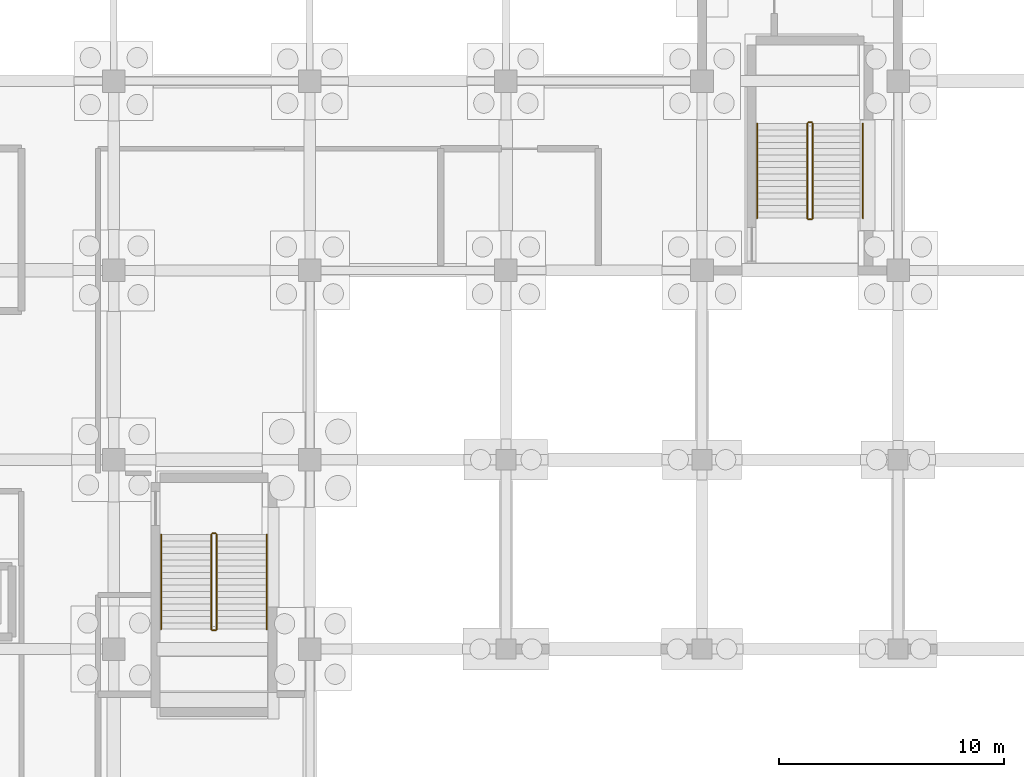
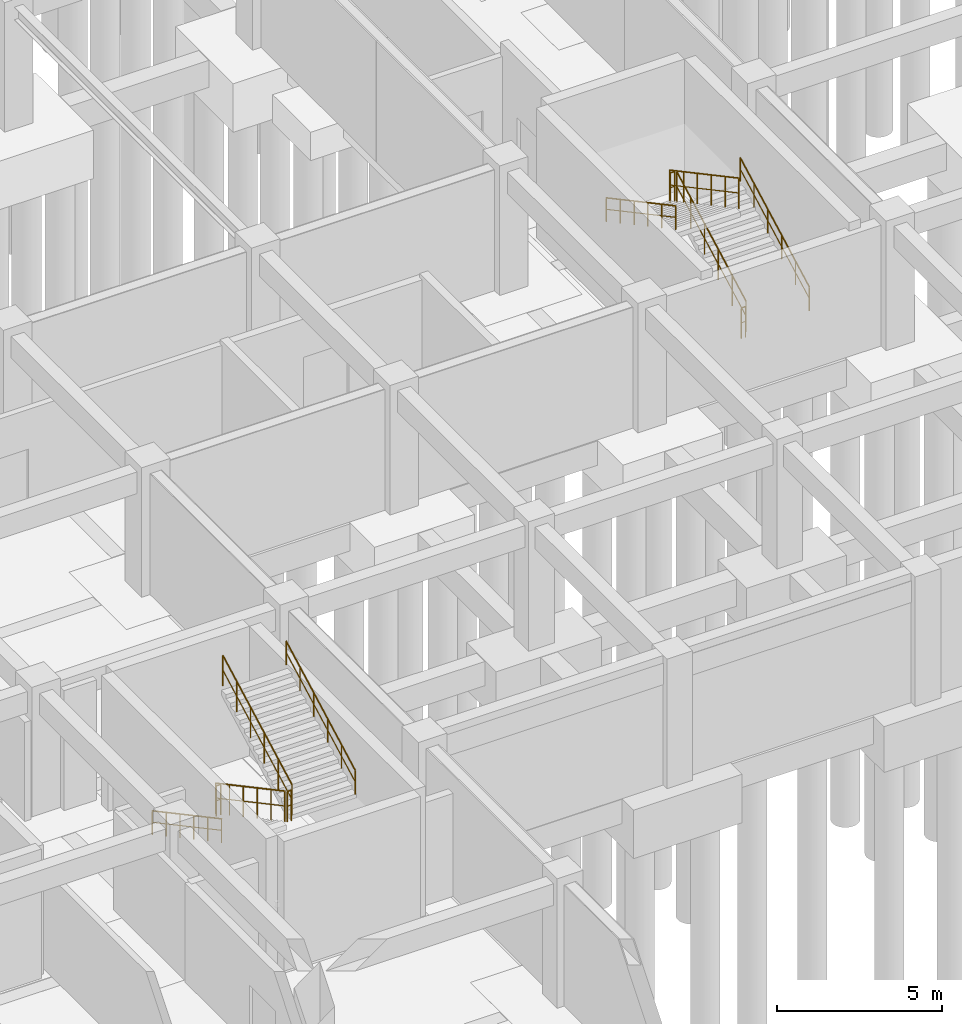
# One storey, part 31 of 33: 12 railings.
"""IFC4 building model written with IfcOpenShell, lengths in metres."""

from ifc_helpers import new_model, si_unit, derived_unit, direction, frame, origin, origin_2d, place, context, subcontext, project, spatial, circle, extrude, material, type_object, element, save


model = new_model("IFC4")

# Units and contexts
model_context = context("Model", 3, precision=1e-05, world=origin(), true_north=direction((0.0, 1.0)))
body_context = subcontext(model_context, "Body", "Model", "MODEL_VIEW")
ifc_project = project(units=[si_unit("LENGTHUNIT", "METRE"), si_unit("AREAUNIT", "SQUARE_METRE"), si_unit("VOLUMEUNIT", "CUBIC_METRE"), si_unit("PLANEANGLEUNIT", "RADIAN"), si_unit("MASSUNIT", "GRAM", prefix="KILO"), derived_unit("THERMALTRANSMITTANCEUNIT", [(si_unit("MASSUNIT", "GRAM", prefix="KILO"), 1), (si_unit("TIMEUNIT", "SECOND"), -3), (si_unit("THERMODYNAMICTEMPERATUREUNIT", "KELVIN"), -1)])], contexts=[model_context])

# Site, building, storey
site_placement = place(None, origin())
site = spatial("IfcSite", under=ifc_project, at=site_placement, CompositionType="ELEMENT")
building_placement = place(site_placement, origin())
building = spatial("IfcBuilding", under=site, at=building_placement, Name="Qinzheling Arcade Emporium", CompositionType="ELEMENT")
storey_placement = place(building_placement, frame((0.0, 0.0, -9.60009765625)))
storey = spatial("IfcBuildingStorey", under=building, at=storey_placement, Name="B2", CompositionType="ELEMENT", Elevation=-9.60009765625)

# Railings
ifc_material_1 = material(Name="Galvanised powder-coated tubular steel", Category="steel")
railing_type_1 = type_object("IfcRailingType", Name="Painted Steel Stairwell Guard Railing 1150", PredefinedType="GUARDRAIL", material=ifc_material_1)
railing_1_placement = place(storey_placement, frame((65.219970703125, 30.280029296875, 0.150146484375)))
element("IfcRailing", 1, at=railing_1_placement, inside=storey, type_object=railing_type_1, Name="B2 ST01 stair guard 1", PredefinedType="GUARDRAIL", context=body_context, shape_type="SweptSolid", body=[
    extrude(circle(Radius=0.02392578125, at=origin_2d()), frame((0.0, 0.0, 1.1259765625), z_axis=(0.0, -0.881477684796, 0.472225678258), x_axis=(1.0, 0.0, 0.0)), (0.0, 0.0, 1.0), 4.7646484375),
    extrude(circle(Radius=0.01611328125, at=origin_2d()), frame((0.0, 0.0, 0.574951171875), z_axis=(0.0, -0.881477684796, 0.472225678258), x_axis=(1.0, 0.0, 0.0)), (0.0, 0.0, 1.0), 4.7646484375),
    extrude(circle(Radius=0.02099609375, at=origin_2d()), origin(), (0.0, 0.0, 1.0), 1.101806640625),
    extrude(circle(Radius=0.02099609375, at=origin_2d()), frame((0.0, -0.840087890625, 0.449951171875)), (0.0, 0.0, 1.0), 1.101806640625),
    extrude(circle(Radius=0.02099609375, at=origin_2d()), frame((0.0, -1.679931640625, 0.89990234375)), (0.0, 0.0, 1.0), 1.101806640625),
    extrude(circle(Radius=0.02099609375, at=origin_2d()), frame((0.0, -2.52001953125, 1.35009765625)), (0.0, 0.0, 1.0), 1.101806640625),
    extrude(circle(Radius=0.02099609375, at=origin_2d()), frame((0.0, -3.35986328125, 1.800048828125)), (0.0, 0.0, 1.0), 1.101806640625),
    extrude(circle(Radius=0.02099609375, at=origin_2d()), frame((0.0, -4.199951171875, 2.25)), (0.0, 0.0, 1.0), 1.101806640625),
])
railing_2_placement = place(storey_placement, frame((65.27001953125, 26.030029296875, 2.400146484375)))
element("IfcRailing", 2, at=railing_2_placement, inside=storey, type_object=railing_type_1, Name="B2 ST01 stair guard 2", PredefinedType="GUARDRAIL", context=body_context, shape_type="SweptSolid", body=[
    extrude(circle(Radius=0.02392578125, at=origin_2d()), frame((0.0, 0.0, 1.1259765625), z_axis=(1.0, 0.0, 0.0), x_axis=(0.0, 1.0, 0.0)), (0.0, 0.0, 1.0), 0.14990234375),
    extrude(circle(Radius=0.01611328125, at=origin_2d()), frame((0.0, 0.0, 0.574951171875), z_axis=(1.0, 0.0, 0.0), x_axis=(0.0, 1.0, 0.0)), (0.0, 0.0, 1.0), 0.14990234375),
    extrude(circle(Radius=0.02099609375, at=origin_2d()), origin(), (0.0, 0.0, 1.0), 1.101806640625),
    extrude(circle(Radius=0.02099609375, at=origin_2d()), frame((0.14990234375, 0.0, 0.0)), (0.0, 0.0, 1.0), 1.101806640625),
])
railing_3_placement = place(storey_placement, frame((65.469970703125, 26.080078125, 2.550048828125)))
element("IfcRailing", 3, at=railing_3_placement, inside=storey, type_object=railing_type_1, Name="B2 ST01 stair guard 3", PredefinedType="GUARDRAIL", context=body_context, shape_type="SweptSolid", body=[
    extrude(circle(Radius=0.02392578125, at=origin_2d()), frame((0.0, 0.0, 1.1259765625), z_axis=(0.0, 0.881477684796, 0.472225678258), x_axis=(-1.0, 0.0, 0.0)), (0.0, 0.0, 1.0), 4.7646484375),
    extrude(circle(Radius=0.01611328125, at=origin_2d()), frame((0.0, 0.0, 0.574951171875), z_axis=(0.0, 0.881477684796, 0.472225678258), x_axis=(-1.0, 0.0, 0.0)), (0.0, 0.0, 1.0), 4.7646484375),
    extrude(circle(Radius=0.02099609375, at=origin_2d()), origin(), (0.0, 0.0, 1.0), 1.101806640625),
    extrude(circle(Radius=0.02099609375, at=origin_2d()), frame((0.0, 0.840087890625, 0.449951171875)), (0.0, 0.0, 1.0), 1.101806640625),
    extrude(circle(Radius=0.02099609375, at=origin_2d()), frame((0.0, 1.679931640625, 0.89990234375)), (0.0, 0.0, 1.0), 1.101806640625),
    extrude(circle(Radius=0.02099609375, at=origin_2d()), frame((0.0, 2.52001953125, 1.35009765625)), (0.0, 0.0, 1.0), 1.101806640625),
    extrude(circle(Radius=0.02099609375, at=origin_2d()), frame((0.0, 3.35986328125, 1.800048828125)), (0.0, 0.0, 1.0), 1.101806640625),
    extrude(circle(Radius=0.02099609375, at=origin_2d()), frame((0.0, 4.199951171875, 2.25)), (0.0, 0.0, 1.0), 1.101806640625),
])
railing_4_placement = place(storey_placement, frame((65.27001953125, 30.330078125, 0.0)))
element("IfcRailing", 4, at=railing_4_placement, inside=storey, type_object=railing_type_1, Name="B2 ST01 stair guard 4", PredefinedType="GUARDRAIL", context=body_context, shape_type="SweptSolid", body=[
    extrude(circle(Radius=0.02392578125, at=origin_2d()), frame((0.0, 0.0, 1.1259765625), z_axis=(1.0, 0.0, 0.0), x_axis=(0.0, 1.0, 0.0)), (0.0, 0.0, 1.0), 0.14990234375),
    extrude(circle(Radius=0.01611328125, at=origin_2d()), frame((0.0, 0.0, 0.574951171875), z_axis=(1.0, 0.0, 0.0), x_axis=(0.0, 1.0, 0.0)), (0.0, 0.0, 1.0), 0.14990234375),
    extrude(circle(Radius=0.02099609375, at=origin_2d()), origin(), (0.0, 0.0, 1.0), 1.101806640625),
    extrude(circle(Radius=0.02099609375, at=origin_2d()), frame((0.14990234375, 0.0, 0.0)), (0.0, 0.0, 1.0), 1.101806640625),
])
railing_5_placement = place(storey_placement, frame((91.919921875, 44.320068359375, 0.150146484375)))
element("IfcRailing", 5, at=railing_5_placement, inside=storey, type_object=railing_type_1, Name="B2 ST04 stair guard 1", PredefinedType="GUARDRAIL", context=body_context, shape_type="SweptSolid", body=[
    extrude(circle(Radius=0.02392578125, at=origin_2d()), frame((0.0, 0.0, 1.1259765625), z_axis=(0.0, 0.881477684796, 0.472225678258), x_axis=(-1.0, 0.0, 0.0)), (0.0, 0.0, 1.0), 4.7646484375),
    extrude(circle(Radius=0.01611328125, at=origin_2d()), frame((0.0, 0.0, 0.574951171875), z_axis=(0.0, 0.881477684796, 0.472225678258), x_axis=(-1.0, 0.0, 0.0)), (0.0, 0.0, 1.0), 4.7646484375),
    extrude(circle(Radius=0.02099609375, at=origin_2d()), origin(), (0.0, 0.0, 1.0), 1.101806640625),
    extrude(circle(Radius=0.02099609375, at=origin_2d()), frame((0.0, 0.840087890625, 0.449951171875)), (0.0, 0.0, 1.0), 1.101806640625),
    extrude(circle(Radius=0.02099609375, at=origin_2d()), frame((0.0, 1.679931640625, 0.89990234375)), (0.0, 0.0, 1.0), 1.101806640625),
    extrude(circle(Radius=0.02099609375, at=origin_2d()), frame((0.0, 2.52001953125, 1.35009765625)), (0.0, 0.0, 1.0), 1.101806640625),
    extrude(circle(Radius=0.02099609375, at=origin_2d()), frame((0.0, 3.35986328125, 1.800048828125)), (0.0, 0.0, 1.0), 1.101806640625),
    extrude(circle(Radius=0.02099609375, at=origin_2d()), frame((0.0, 4.199951171875, 2.25)), (0.0, 0.0, 1.0), 1.101806640625),
])
railing_6_placement = place(storey_placement, frame((91.8701171875, 48.570068359375, 2.400146484375)))
element("IfcRailing", 6, at=railing_6_placement, inside=storey, type_object=railing_type_1, Name="B2 ST04 stair guard 2", PredefinedType="GUARDRAIL", context=body_context, shape_type="SweptSolid", body=[
    extrude(circle(Radius=0.02392578125, at=origin_2d()), frame((0.0, 0.0, 1.1259765625), z_axis=(-1.0, 0.0, 0.0), x_axis=(0.0, -1.0, 0.0)), (0.0, 0.0, 1.0), 0.150146484375),
    extrude(circle(Radius=0.01611328125, at=origin_2d()), frame((0.0, 0.0, 0.574951171875), z_axis=(-1.0, 0.0, 0.0), x_axis=(0.0, -1.0, 0.0)), (0.0, 0.0, 1.0), 0.150146484375),
    extrude(circle(Radius=0.02099609375, at=origin_2d()), origin(), (0.0, 0.0, 1.0), 1.101806640625),
    extrude(circle(Radius=0.02099609375, at=origin_2d()), frame((-0.150146484375, 0.0, 0.0)), (0.0, 0.0, 1.0), 1.101806640625),
])
railing_7_placement = place(storey_placement, frame((91.669921875, 48.52001953125, 2.550048828125)))
element("IfcRailing", 7, at=railing_7_placement, inside=storey, type_object=railing_type_1, Name="B2 ST04 stair guard 3", PredefinedType="GUARDRAIL", context=body_context, shape_type="SweptSolid", body=[
    extrude(circle(Radius=0.02392578125, at=origin_2d()), frame((0.0, 0.0, 1.1259765625), z_axis=(0.0, -0.881477684796, 0.472225678258), x_axis=(1.0, 0.0, 0.0)), (0.0, 0.0, 1.0), 4.7646484375),
    extrude(circle(Radius=0.01611328125, at=origin_2d()), frame((0.0, 0.0, 0.574951171875), z_axis=(0.0, -0.881477684796, 0.472225678258), x_axis=(1.0, 0.0, 0.0)), (0.0, 0.0, 1.0), 4.7646484375),
    extrude(circle(Radius=0.02099609375, at=origin_2d()), origin(), (0.0, 0.0, 1.0), 1.101806640625),
    extrude(circle(Radius=0.02099609375, at=origin_2d()), frame((0.0, -0.840087890625, 0.449951171875)), (0.0, 0.0, 1.0), 1.101806640625),
    extrude(circle(Radius=0.02099609375, at=origin_2d()), frame((0.0, -1.679931640625, 0.89990234375)), (0.0, 0.0, 1.0), 1.101806640625),
    extrude(circle(Radius=0.02099609375, at=origin_2d()), frame((0.0, -2.52001953125, 1.35009765625)), (0.0, 0.0, 1.0), 1.101806640625),
    extrude(circle(Radius=0.02099609375, at=origin_2d()), frame((0.0, -3.35986328125, 1.800048828125)), (0.0, 0.0, 1.0), 1.101806640625),
    extrude(circle(Radius=0.02099609375, at=origin_2d()), frame((0.0, -4.199951171875, 2.25)), (0.0, 0.0, 1.0), 1.101806640625),
])
railing_8_placement = place(storey_placement, frame((91.8701171875, 44.27001953125, 0.0)))
element("IfcRailing", 8, at=railing_8_placement, inside=storey, type_object=railing_type_1, Name="B2 ST04 stair guard 4", PredefinedType="GUARDRAIL", context=body_context, shape_type="SweptSolid", body=[
    extrude(circle(Radius=0.02392578125, at=origin_2d()), frame((0.0, 0.0, 1.1259765625), z_axis=(-1.0, 0.0, 0.0), x_axis=(0.0, -1.0, 0.0)), (0.0, 0.0, 1.0), 0.150146484375),
    extrude(circle(Radius=0.01611328125, at=origin_2d()), frame((0.0, 0.0, 0.574951171875), z_axis=(-1.0, 0.0, 0.0), x_axis=(0.0, -1.0, 0.0)), (0.0, 0.0, 1.0), 0.150146484375),
    extrude(circle(Radius=0.02099609375, at=origin_2d()), origin(), (0.0, 0.0, 1.0), 1.101806640625),
    extrude(circle(Radius=0.02099609375, at=origin_2d()), frame((-0.150146484375, 0.0, 0.0)), (0.0, 0.0, 1.0), 1.101806640625),
])
ifc_material_2 = material(Name="Brushed stainless steel 304", Category="steel")
railing_type_2 = type_object("IfcRailingType", Name="Stainless Steel Wall Handrail 900", PredefinedType="HANDRAIL", material=ifc_material_2)
railing_9_placement = place(storey_placement, frame((63.0, 30.280029296875, 0.150146484375)))
element("IfcRailing", 9, at=railing_9_placement, inside=storey, type_object=railing_type_2, Name="B2 ST01 stair handrail 1", PredefinedType="HANDRAIL", context=body_context, shape_type="SweptSolid", body=[
    extrude(circle(Radius=0.02392578125, at=origin_2d()), frame((0.0, 0.0, 0.8759765625), z_axis=(0.0, -0.881477684796, 0.472225678258), x_axis=(1.0, 0.0, 0.0)), (0.0, 0.0, 1.0), 4.7646484375),
    extrude(circle(Radius=0.01611328125, at=origin_2d()), frame((0.0, 0.0, 0.449951171875), z_axis=(0.0, -0.881477684796, 0.472225678258), x_axis=(1.0, 0.0, 0.0)), (0.0, 0.0, 1.0), 4.7646484375),
    extrude(circle(Radius=0.02099609375, at=origin_2d()), origin(), (0.0, 0.0, 1.0), 0.851806640625),
    extrude(circle(Radius=0.02099609375, at=origin_2d()), frame((0.0, -0.840087890625, 0.449951171875)), (0.0, 0.0, 1.0), 0.851806640625),
    extrude(circle(Radius=0.02099609375, at=origin_2d()), frame((0.0, -1.679931640625, 0.89990234375)), (0.0, 0.0, 1.0), 0.851806640625),
    extrude(circle(Radius=0.02099609375, at=origin_2d()), frame((0.0, -2.52001953125, 1.35009765625)), (0.0, 0.0, 1.0), 0.851806640625),
    extrude(circle(Radius=0.02099609375, at=origin_2d()), frame((0.0, -3.35986328125, 1.800048828125)), (0.0, 0.0, 1.0), 0.851806640625),
    extrude(circle(Radius=0.02099609375, at=origin_2d()), frame((0.0, -4.199951171875, 2.25)), (0.0, 0.0, 1.0), 0.851806640625),
])
for number, where, name in (
    (10, (67.68994140625, 26.080078125, 2.550048828125), "B2 ST01 stair handrail 2"),
    (11, (94.139892578125, 44.320068359375, 0.150146484375), "B2 ST04 stair handrail 1"),
):
    element("IfcRailing", number, at=place(storey_placement, frame(where)), inside=storey, type_object=railing_type_2, Name=name, PredefinedType="HANDRAIL", context=body_context, shape_type="SweptSolid", body=[
        extrude(circle(Radius=0.02392578125, at=origin_2d()), frame((0.0, 0.0, 0.8759765625), z_axis=(0.0, 0.881477684796, 0.472225678258), x_axis=(-1.0, 0.0, 0.0)), (0.0, 0.0, 1.0), 4.7646484375),
        extrude(circle(Radius=0.01611328125, at=origin_2d()), frame((0.0, 0.0, 0.449951171875), z_axis=(0.0, 0.881477684796, 0.472225678258), x_axis=(-1.0, 0.0, 0.0)), (0.0, 0.0, 1.0), 4.7646484375),
        extrude(circle(Radius=0.02099609375, at=origin_2d()), origin(), (0.0, 0.0, 1.0), 0.851806640625),
        extrude(circle(Radius=0.02099609375, at=origin_2d()), frame((0.0, 0.840087890625, 0.449951171875)), (0.0, 0.0, 1.0), 0.851806640625),
        extrude(circle(Radius=0.02099609375, at=origin_2d()), frame((0.0, 1.679931640625, 0.89990234375)), (0.0, 0.0, 1.0), 0.851806640625),
        extrude(circle(Radius=0.02099609375, at=origin_2d()), frame((0.0, 2.52001953125, 1.35009765625)), (0.0, 0.0, 1.0), 0.851806640625),
        extrude(circle(Radius=0.02099609375, at=origin_2d()), frame((0.0, 3.35986328125, 1.800048828125)), (0.0, 0.0, 1.0), 0.851806640625),
        extrude(circle(Radius=0.02099609375, at=origin_2d()), frame((0.0, 4.199951171875, 2.25)), (0.0, 0.0, 1.0), 0.851806640625),
    ])
railing_10_placement = place(storey_placement, frame((89.449951171875, 48.52001953125, 2.550048828125)))
element("IfcRailing", 12, at=railing_10_placement, inside=storey, type_object=railing_type_2, Name="B2 ST04 stair handrail 2", PredefinedType="HANDRAIL", context=body_context, shape_type="SweptSolid", body=[
    extrude(circle(Radius=0.02392578125, at=origin_2d()), frame((0.0, 0.0, 0.8759765625), z_axis=(0.0, -0.881477684796, 0.472225678258), x_axis=(1.0, 0.0, 0.0)), (0.0, 0.0, 1.0), 4.7646484375),
    extrude(circle(Radius=0.01611328125, at=origin_2d()), frame((0.0, 0.0, 0.449951171875), z_axis=(0.0, -0.881477684796, 0.472225678258), x_axis=(1.0, 0.0, 0.0)), (0.0, 0.0, 1.0), 4.7646484375),
    extrude(circle(Radius=0.02099609375, at=origin_2d()), origin(), (0.0, 0.0, 1.0), 0.851806640625),
    extrude(circle(Radius=0.02099609375, at=origin_2d()), frame((0.0, -0.840087890625, 0.449951171875)), (0.0, 0.0, 1.0), 0.851806640625),
    extrude(circle(Radius=0.02099609375, at=origin_2d()), frame((0.0, -1.679931640625, 0.89990234375)), (0.0, 0.0, 1.0), 0.851806640625),
    extrude(circle(Radius=0.02099609375, at=origin_2d()), frame((0.0, -2.52001953125, 1.35009765625)), (0.0, 0.0, 1.0), 0.851806640625),
    extrude(circle(Radius=0.02099609375, at=origin_2d()), frame((0.0, -3.35986328125, 1.800048828125)), (0.0, 0.0, 1.0), 0.851806640625),
    extrude(circle(Radius=0.02099609375, at=origin_2d()), frame((0.0, -4.199951171875, 2.25)), (0.0, 0.0, 1.0), 0.851806640625),
])

save(model, "model.ifc")
